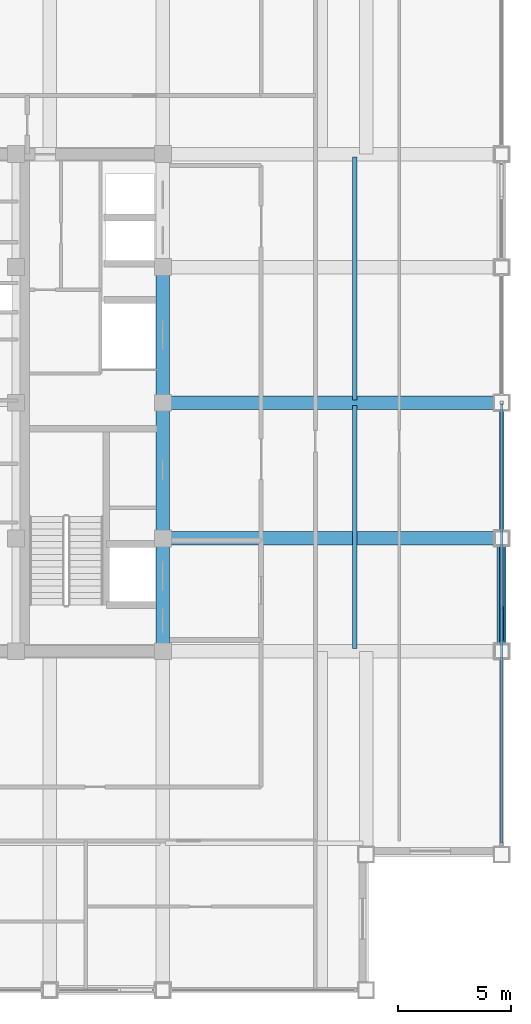
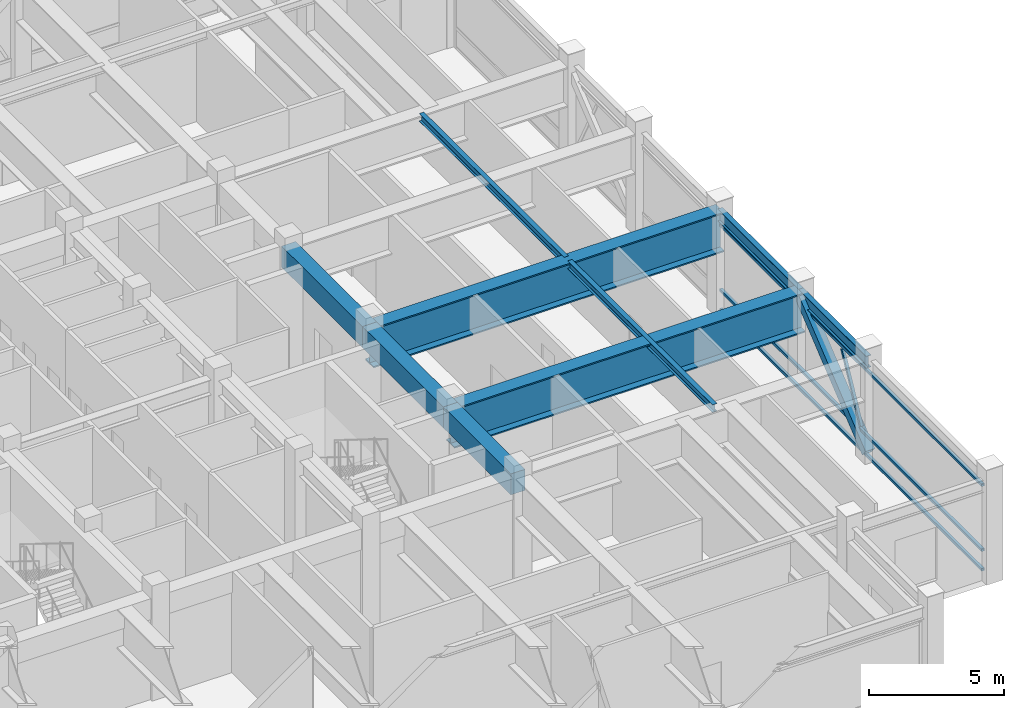
# One storey, part 11 of 29: 9 beams, 5 members, 1 element without a shape of its own.
"""IFC4 building model written with IfcOpenShell, lengths in metres."""

import ifcopenshell
import ifcopenshell.guid

model = None  # the IFC model being written
_history = None  # IfcOwnerHistory: only IFC2X3 demands one
_inside = {}  # id of a spatial element -> (the spatial element, [elements in it])
_under = {}  # id of a project, library or spatial element -> (it, [spatial elements below it])
_declared = {}  # id of a project -> (the project, [libraries it declares])
_typed = {}  # id of a type object -> (the type object, [elements of that type])
_made_of = {}  # id of a material, layer set ... -> (it, [elements and type objects made of it])


def new_model(schema):
    """Start an empty IFC model of exactly this schema.

    Asked for "IFC4X3", IfcOpenShell would pick the latest addendum, in which some entities
    have other attributes; the version numbers below select the first issue.
    IFC2X3 requires an IfcOwnerHistory on every rooted entity: one is made here for all.
    """
    global model, _history
    if schema == "IFC4X3":
        model = ifcopenshell.file(schema_version=(4, 3, 0, 0))
    else:
        model = ifcopenshell.file(schema=schema)
    _inside.clear()
    _under.clear()
    _declared.clear()
    _typed.clear()
    _made_of.clear()
    _history = None
    if model.schema == "IFC2X3":
        org = make("IfcOrganization", Name="unknown")
        user = make(
            "IfcPersonAndOrganization",
            ThePerson=make("IfcPerson", FamilyName="unknown"),
            TheOrganization=org,
        )
        app = make(
            "IfcApplication",
            ApplicationDeveloper=org,
            Version="unknown",
            ApplicationFullName="unknown",
            ApplicationIdentifier="unknown",
        )
        _history = make(
            "IfcOwnerHistory",
            OwningUser=user,
            OwningApplication=app,
            ChangeAction="ADDED",
            CreationDate=0,
        )
    return model


def make(cls, **values):
    """One entity of the class cls with the attributes given. An attribute that is None is left unset."""
    return model.create_entity(
        cls, **{name: value for name, value in values.items() if value is not None}
    )


def rooted(cls, **values):
    """An entity with a GlobalId (a new one), such as an element, a storey or a relation."""
    return make(cls, GlobalId=ifcopenshell.guid.new(), OwnerHistory=_history, **values)


def si_unit(unit_type, name, prefix=None):
    """IfcSIUnit, for example si_unit("LENGTHUNIT", "METRE", prefix="MILLI")."""
    return make("IfcSIUnit", UnitType=unit_type, Prefix=prefix, Name=name)


def assignment(units):
    """IfcUnitAssignment: the units of a project."""
    return None if units is None else make("IfcUnitAssignment", Units=units)


def point(xyz):
    """IfcCartesianPoint."""
    return None if xyz is None else make("IfcCartesianPoint", Coordinates=xyz)


def direction(xyz):
    """IfcDirection."""
    return None if xyz is None else make("IfcDirection", DirectionRatios=xyz)


def frame(location, z_axis=None, x_axis=None):
    """IfcAxis2Placement3D, a coordinate frame: its origin and axes. An axis left out is left unset."""
    return make(
        "IfcAxis2Placement3D",
        Location=point(location),
        Axis=direction(z_axis),
        RefDirection=direction(x_axis),
    )


def frame_2d(location, x_axis=None):
    """IfcAxis2Placement2D, a coordinate frame in the plane: its origin and x axis."""
    return make(
        "IfcAxis2Placement2D", Location=point(location), RefDirection=direction(x_axis)
    )


def origin():
    """The frame at (0, 0, 0) with its axes left unset."""
    return frame((0.0, 0.0, 0.0))


def origin_2d():
    """The frame at (0, 0) in the plane with its x axis left unset."""
    return frame_2d((0.0, 0.0))


def place(relative_to, where):
    """IfcLocalPlacement: puts the frame where relative to a parent placement (None: the world)."""
    return make(
        "IfcLocalPlacement", PlacementRelTo=relative_to, RelativePlacement=where
    )


def context(
    kind, dimensions, precision=None, world=None, true_north=None, identifier=None
):
    """IfcGeometricRepresentationContext, for example the 3D "Model" context."""
    return make(
        "IfcGeometricRepresentationContext",
        ContextIdentifier=identifier,
        ContextType=kind,
        CoordinateSpaceDimension=dimensions,
        Precision=precision,
        WorldCoordinateSystem=world,
        TrueNorth=true_north,
    )


def subcontext(parent, identifier, kind, view, scale=None):
    """IfcGeometricRepresentationSubContext, for example "Body" below "Model"."""
    return make(
        "IfcGeometricRepresentationSubContext",
        ContextIdentifier=identifier,
        ContextType=kind,
        ParentContext=parent,
        TargetScale=scale,
        TargetView=view,
    )


def project(units=None, contexts=None):
    """IfcProject with its units and contexts."""
    return rooted(
        "IfcProject",
        Name="project",
        RepresentationContexts=contexts,
        UnitsInContext=assignment(units),
    )


def spatial(cls, under=None, at=None, **own):
    """A site, building, storey or space (cls), placed at a placement, below another one or the project."""
    s = rooted(cls, ObjectPlacement=at, **own)
    if under is not None:
        _under.setdefault(under.id(), (under, []))[1].append(s)
    return s


def profile(cls, at=None, kind="AREA", **sizes):
    """A parametric profile (cls). Its sizes go by their IFC names, for example OverallWidth=200.0."""
    return make(cls, ProfileType=kind, Position=at, **sizes)


def rectangle(**sizes):
    """IfcRectangleProfileDef."""
    return profile("IfcRectangleProfileDef", **sizes)


def hollow_rectangle(**sizes):
    """IfcRectangleHollowProfileDef."""
    return profile("IfcRectangleHollowProfileDef", **sizes)


def i_section(**sizes):
    """IfcIShapeProfileDef."""
    return profile("IfcIShapeProfileDef", **sizes)


def extrude(swept, where, along, depth):
    """IfcExtrudedAreaSolid: the profile swept, set in the frame where, extruded along a direction by depth."""
    return make(
        "IfcExtrudedAreaSolid",
        SweptArea=swept,
        Position=where,
        ExtrudedDirection=direction(along),
        Depth=depth,
    )


def shape(context_of_items, identifier, shape_type, items):
    """IfcShapeRepresentation: the items that make up one representation, for example the "Body"."""
    return make(
        "IfcShapeRepresentation",
        ContextOfItems=context_of_items,
        RepresentationIdentifier=identifier,
        RepresentationType=shape_type,
        Items=items,
    )


def source(mapping_origin, context_of_items, identifier, shape_type, items):
    """IfcRepresentationMap: a shape defined once, which mapped items show again and again."""
    return make(
        "IfcRepresentationMap",
        MappingOrigin=mapping_origin,
        MappedRepresentation=shape(context_of_items, identifier, shape_type, items),
    )


def transform(
    local_origin,
    x_axis=None,
    y_axis=None,
    z_axis=None,
    scale=None,
    scale2=None,
    scale3=None,
    uniform=True,
):
    """IfcCartesianTransformationOperator3D, or its non-uniform kind. x_axis, y_axis, z_axis: its Axis1, 2, 3."""
    if uniform:
        return make(
            "IfcCartesianTransformationOperator3D",
            Axis1=direction(x_axis),
            Axis2=direction(y_axis),
            LocalOrigin=point(local_origin),
            Scale=scale,
            Axis3=direction(z_axis),
        )
    return make(
        "IfcCartesianTransformationOperator3DnonUniform",
        Axis1=direction(x_axis),
        Axis2=direction(y_axis),
        LocalOrigin=point(local_origin),
        Scale=scale,
        Axis3=direction(z_axis),
        Scale2=scale2,
        Scale3=scale3,
    )


def mapped(mapping_source, mapping_target):
    """IfcMappedItem: shows the shape of a source again, moved by a transform."""
    return make(
        "IfcMappedItem", MappingSource=mapping_source, MappingTarget=mapping_target
    )


def material(Name=None, Category=None):
    """IfcMaterial."""
    return make("IfcMaterial", Name=Name, Category=Category)


def material_profile(
    of_material, cross_section, Name=None, Category=None, Priority=None
):
    """IfcMaterialProfile: a cross section and its material."""
    return make(
        "IfcMaterialProfile",
        Name=Name,
        Material=of_material,
        Profile=cross_section,
        Priority=Priority,
        Category=Category,
    )


def profile_set(profiles, Name=None, composite=None):
    """IfcMaterialProfileSet."""
    return make(
        "IfcMaterialProfileSet",
        Name=Name,
        MaterialProfiles=profiles,
        CompositeProfile=composite,
    )


def made_of(thing, what):
    """Note that an element or type object is made of a material, layer set ...; save() writes the relation."""
    if what is not None:
        _made_of.setdefault(what.id(), (what, []))[1].append(thing)
    return thing


def type_object(cls, material=None, **own):
    """A type object (cls), such as IfcWallType, which elements share."""
    return made_of(rooted(cls, **own), material)


def element(
    cls,
    number,
    at=None,
    inside=None,
    cuts=None,
    type_object=None,
    material=None,
    context=None,
    identifier="Body",
    shape_type=None,
    held_by="IfcProductDefinitionShape",
    body=None,
    shapes=None,
    **own,
):
    """One element of the class cls, such as IfcWall. Its Tag is "e" and its number.

    at: its placement. inside: the storey or other place that contains it. cuts: it is an
    opening in that element (IfcRelVoidsElement). A single representation is given by context,
    identifier, shape_type and body (its items); several are given by shapes. held_by: the class
    of the entity that holds the representations. save() writes the other relations.
    """
    e = rooted(cls, Tag="e%d" % number, ObjectPlacement=at, **own)
    if body is not None:
        shapes = [shape(context, identifier, shape_type, body)]
    if shapes is not None:
        e.Representation = make(held_by, Representations=shapes)
    if inside is not None:
        _inside.setdefault(inside.id(), (inside, []))[1].append(e)
    if cuts is not None:
        rooted(
            "IfcRelVoidsElement", RelatingBuildingElement=cuts, RelatedOpeningElement=e
        )
    if type_object is not None:
        _typed.setdefault(type_object.id(), (type_object, []))[1].append(e)
    return made_of(e, material)


def aggregate(whole, parts):
    """IfcRelAggregates: a whole, such as a stair, and the parts it consists of."""
    return rooted("IfcRelAggregates", RelatingObject=whole, RelatedObjects=parts)


def save(model, path):
    """Write the relations noted so far, then the file.

    IfcRelAggregates (storeys below a building ...), IfcRelContainedInSpatialStructure (elements
    in a storey), IfcRelDefinesByType, IfcRelAssociatesMaterial and IfcRelDeclares: one each for
    every whole, place, type object, material and project.
    """
    for whole, parts in _under.values():
        aggregate(whole, parts)
    for where, things in _inside.values():
        rooted(
            "IfcRelContainedInSpatialStructure",
            RelatedElements=things,
            RelatingStructure=where,
        )
    for kind, things in _typed.values():
        rooted("IfcRelDefinesByType", RelatedObjects=things, RelatingType=kind)
    for what, things in _made_of.values():
        rooted("IfcRelAssociatesMaterial", RelatedObjects=things, RelatingMaterial=what)
    for by, libraries in _declared.values():
        rooted("IfcRelDeclares", RelatingContext=by, RelatedDefinitions=libraries)
    model.write(path)


model = new_model("IFC4")

# Units and contexts
model_context = context("Model", 3, precision=1e-05, world=origin(), true_north=direction((0.0, 1.0)))
body_context = subcontext(model_context, "Body", "Model", "MODEL_VIEW")
ifc_project = project(units=[si_unit("LENGTHUNIT", "METRE"), si_unit("AREAUNIT", "SQUARE_METRE"), si_unit("VOLUMEUNIT", "CUBIC_METRE"), si_unit("PLANEANGLEUNIT", "RADIAN"), si_unit("MASSUNIT", "GRAM", prefix="KILO")], contexts=[model_context])

# Site, building, storey
site_placement = place(None, origin())
site = spatial("IfcSite", under=ifc_project, at=site_placement, CompositionType="ELEMENT")
building_placement = place(site_placement, origin())
building = spatial("IfcBuilding", under=site, at=building_placement, Name="Khorayat Bourse Tower", CompositionType="ELEMENT")
storey_placement = place(building_placement, frame((0.0, 0.0, 370.300048828125)))
storey = spatial("IfcBuildingStorey", under=building, at=storey_placement, Name="L88", CompositionType="ELEMENT", Elevation=370.300048828125)

# Beams
ifc_material_1 = material(Name="Concrete C60/75", Category="concrete")
ifc_material_profile_1 = material_profile(ifc_material_1, rectangle(XDim=0.60009765625, YDim=0.949951171875, at=origin_2d()), Name="RC 600x950")
ifc_profile_set_1 = profile_set([ifc_material_profile_1], Name="Concrete C60/75")
beam_type_1 = type_object("IfcBeamType", Name="BM-COUP-950", PredefinedType="BEAM", material=ifc_profile_set_1)
shared_shape_1 = source(origin(), body_context, "Body", "SweptSolid", [
    extrude(rectangle(XDim=0.60009765625, YDim=0.949951171875, at=origin_2d()), origin(), (0.0, 0.0, 1.0), 5.0),
])
beam_1_placement = place(storey_placement, frame((11.0, -11.0, 4.125), z_axis=(0.0, 1.0, 0.0), x_axis=(-1.0, 0.0, 0.0)))
element("IfcBeam", 1, at=beam_1_placement, inside=storey, type_object=beam_type_1, Name="L88 BM-COUP-950 BM-L88-CRX-13", PredefinedType="BEAM", context=body_context, shape_type="MappedRepresentation", body=[
    mapped(shared_shape_1, transform((0.0, 0.0, 0.0), scale=1.0)),
])
shared_shape_2 = source(origin(), body_context, "Body", "SweptSolid", [
    extrude(rectangle(XDim=0.60009765625, YDim=0.949951171875, at=origin_2d()), origin(), (0.0, 0.0, 1.0), 6.0),
])
for number, where, z_axis, x_axis, name in (
    (2, (11.0, -6.0, 4.125), (0.0, 1.0, 0.0), (-1.0, 0.0, 0.0), "L88 BM-COUP-950 BM-L88-CRX-14"),
    (3, (11.0, 0.0, 4.125), (0.0, 1.0, 0.0), (-1.0, 0.0, 0.0), "L88 BM-COUP-950 BM-L88-CRX-15"),
):
    element("IfcBeam", number, at=place(storey_placement, frame(where, z_axis=z_axis, x_axis=x_axis)), inside=storey, type_object=beam_type_1, Name=name, PredefinedType="BEAM", context=body_context, shape_type="MappedRepresentation", body=[
        mapped(shared_shape_2, transform((0.0, 0.0, 0.0), scale=1.0)),
    ])
ifc_material_2 = material(Name="Steel ASTM A992 Grade 50", Category="steel")
ifc_material_profile_2 = material_profile(ifc_material_2, i_section(OverallWidth=0.202880859375, OverallDepth=0.346923828125, WebThickness=0.0078125, FlangeThickness=0.013427734375, FilletRadius=0.010009765625, at=origin_2d()), Name="W360X64")
ifc_profile_set_2 = profile_set([ifc_material_profile_2], Name="Steel ASTM A992 Grade 50")
beam_type_2 = type_object("IfcBeamType", Name="BM-JOIST-360", PredefinedType="JOIST", material=ifc_profile_set_2)
shared_shape_3 = source(origin(), body_context, "Body", "SweptSolid", [
    extrude(i_section(OverallWidth=0.202880859375, OverallDepth=0.346923828125, WebThickness=0.0078125, FlangeThickness=0.013427734375, FilletRadius=0.010009765625, at=origin_2d()), origin(), (0.0, 0.0, 1.0), 10.740234375),
])
for number, where, z_axis, x_axis, name in (
    (4, (19.5, -10.8701171875, 4.426513671875), (0.0, 1.0, 0.0), (-1.0, 0.0, 0.0), "L88 BM-JOIST-360 BM-L88-JSTY-096"),
    (5, (19.5, 0.1298828125, 4.426513671875), (0.0, 1.0, 0.0), (-1.0, 0.0, 0.0), "L88 BM-JOIST-360 BM-L88-JSTY-097"),
):
    element("IfcBeam", number, at=place(storey_placement, frame(where, z_axis=z_axis, x_axis=x_axis)), inside=storey, type_object=beam_type_2, Name=name, PredefinedType="JOIST", context=body_context, shape_type="MappedRepresentation", body=[
        mapped(shared_shape_3, transform((0.0, 0.0, 0.0), scale=1.0)),
    ])
ifc_material_profile_3 = material_profile(ifc_material_2, i_section(OverallWidth=0.214111328125, OverallDepth=0.549072265625, WebThickness=0.0146484375, FlangeThickness=0.023681640625, FilletRadius=0.013916015625, at=origin_2d()), Name="W530X138")
ifc_profile_set_3 = profile_set([ifc_material_profile_3], Name="Steel ASTM A992 Grade 50")
beam_type_3 = type_object("IfcBeamType", Name="BM-SPAN-530", PredefinedType="SPANDREL", material=ifc_profile_set_3)
shared_shape_4 = source(origin(), body_context, "Body", "SweptSolid", [
    extrude(i_section(OverallWidth=0.214111328125, OverallDepth=0.549072265625, WebThickness=0.0146484375, FlangeThickness=0.023681640625, FilletRadius=0.013916015625, at=origin_2d()), origin(), (0.0, 0.0, 1.0), 5.0),
])
beam_2_placement = place(storey_placement, frame((26.0, -11.0, 4.325439453125), z_axis=(0.0, 1.0, 0.0), x_axis=(-1.0, 0.0, 0.0)))
element("IfcBeam", 6, at=beam_2_placement, inside=storey, type_object=beam_type_3, Name="L88 BM-SPAN-530 BM-L88-SPN-033", PredefinedType="SPANDREL", context=body_context, shape_type="MappedRepresentation", body=[
    mapped(shared_shape_4, transform((0.0, 0.0, 0.0), scale=1.0)),
])
shared_shape_5 = source(origin(), body_context, "Body", "SweptSolid", [
    extrude(i_section(OverallWidth=0.214111328125, OverallDepth=0.549072265625, WebThickness=0.0146484375, FlangeThickness=0.023681640625, FilletRadius=0.013916015625, at=origin_2d()), origin(), (0.0, 0.0, 1.0), 6.0),
])
beam_3_placement = place(storey_placement, frame((26.0, -6.0, 4.325439453125), z_axis=(0.0, 1.0, 0.0), x_axis=(-1.0, 0.0, 0.0)))
element("IfcBeam", 7, at=beam_3_placement, inside=storey, type_object=beam_type_3, Name="L88 BM-SPAN-530 BM-L88-SPN-034", PredefinedType="SPANDREL", context=body_context, shape_type="MappedRepresentation", body=[
    mapped(shared_shape_5, transform((0.0, 0.0, 0.0), scale=1.0)),
])
ifc_material_3 = material(Name="Steel EN 10025-4 S460M", Category="steel")
ifc_material_profile_4 = material_profile(ifc_material_3, i_section(OverallWidth=0.60009765625, OverallDepth=1.800048828125, WebThickness=0.031982421875, FlangeThickness=0.06005859375, at=origin_2d()), Name="PG 1800x600x32x60")
ifc_profile_set_4 = profile_set([ifc_material_profile_4], Name="Steel EN 10025-4 S460M")
beam_type_4 = type_object("IfcBeamType", Name="BM-TR-1800", PredefinedType="BEAM", material=ifc_profile_set_4)
shared_shape_6 = source(origin(), body_context, "Body", "SweptSolid", [
    extrude(i_section(OverallWidth=0.60009765625, OverallDepth=1.800048828125, WebThickness=0.031982421875, FlangeThickness=0.06005859375, at=origin_2d()), origin(), (0.0, 0.0, 1.0), 15.0),
])
for number, where, z_axis, x_axis, name in (
    (8, (11.0, -6.0, 3.699951171875), (1.0, 0.0, 0.0), (0.0, 1.0, 0.0), "L88 BM-TR-1800 BM-L88-RADX-068"),
    (9, (11.0, 0.0, 3.699951171875), (1.0, 0.0, 0.0), (0.0, 1.0, 0.0), "L88 BM-TR-1800 BM-L88-RADX-070"),
):
    element("IfcBeam", number, at=place(storey_placement, frame(where, z_axis=z_axis, x_axis=x_axis)), inside=storey, type_object=beam_type_4, Name=name, PredefinedType="BEAM", context=body_context, shape_type="MappedRepresentation", body=[
        mapped(shared_shape_6, transform((0.0, 0.0, 0.0), scale=1.0)),
    ])

# Member
ifc_material_profile_5 = material_profile(ifc_material_3, hollow_rectangle(XDim=0.39990234375, YDim=0.39990234375, WallThickness=0.02197265625, at=origin_2d()), Name="HSS 400x400x22")
ifc_profile_set_5 = profile_set([ifc_material_profile_5], Name="Steel EN 10025-4 S460M")
member_type_1 = type_object("IfcMemberType", Name="MBR-TUBE-400", PredefinedType="BRACE", material=ifc_profile_set_5)
shared_shape_7 = source(origin(), body_context, "Body", "SweptSolid", [
    extrude(hollow_rectangle(XDim=0.39990234375, YDim=0.39990234375, WallThickness=0.02197265625, at=origin_2d()), origin(), (0.0, 0.0, 1.0), 6.466064453125),
])
member_1_placement = place(storey_placement, frame((26.0, -11.0, 0.25), z_axis=(0.0, 0.773278898257, 0.634066041916), x_axis=(-1.0, 0.0, 0.0)))
element("IfcMember", 10, at=member_1_placement, inside=storey, type_object=member_type_1, Name="L88 Perimeter Tube Brace 07", PredefinedType="BRACE", context=body_context, shape_type="MappedRepresentation", body=[
    mapped(shared_shape_7, transform((0.0, 0.0, 0.0), scale=1.0)),
])

# Curtain wall, members
ifc_material_4 = material(Name="Aluminium EN AW-6063 T6", Category="aluminium")
curtain_wall_type = type_object("IfcCurtainWallType", Name="CW-SYS-04", PredefinedType="NOTDEFINED", material=ifc_material_4)
curtain_wall_placement = place(storey_placement, origin())
curtain_wall = element("IfcCurtainWall", 11, at=curtain_wall_placement, inside=storey, type_object=curtain_wall_type, Name="L88 Curtain Wall CW-L88-E1", PredefinedType="NOTDEFINED")
ifc_material_profile_6 = material_profile(ifc_material_4, hollow_rectangle(XDim=0.1201171875, YDim=0.1201171875, WallThickness=0.0048828125, at=origin_2d()), Name="ALU 120x120x5")
ifc_profile_set_6 = profile_set([ifc_material_profile_6], Name="Aluminium EN AW-6063 T6")
member_type_2 = type_object("IfcMemberType", Name="CWM-DIAG-120", PredefinedType="MULLION", material=ifc_profile_set_6)
shared_shape_8 = source(origin(), body_context, "Body", "SweptSolid", [
    extrude(hollow_rectangle(XDim=0.1201171875, YDim=0.1201171875, WallThickness=0.0048828125, at=origin_2d()), origin(), (0.0, 0.0, 1.0), 3.006103515625),
])
member_2_placement = place(storey_placement, frame((26.0, -10.469970703125, 1.08984375), z_axis=(0.0, 0.465699569312, 0.884942885808), x_axis=(-1.0, 0.0, 0.0)))
member_2 = element("IfcMember", 12, at=member_2_placement, type_object=member_type_2, Name="CW-L88-E1 Faceted Diagonal Mullion 1", PredefinedType="MULLION", context=body_context, shape_type="MappedRepresentation", body=[
    mapped(shared_shape_8, transform((0.0, 0.0, 0.0), scale=1.0)),
])
ifc_material_profile_7 = material_profile(ifc_material_4, hollow_rectangle(XDim=0.1201171875, YDim=0.1201171875, WallThickness=0.0048828125, at=origin_2d()), Name="ALU 120x120x5")
ifc_profile_set_7 = profile_set([ifc_material_profile_7], Name="Aluminium EN AW-6063 T6")
member_type_3 = type_object("IfcMemberType", Name="CWT-HORZ-120", PredefinedType="USERDEFINED", material=ifc_profile_set_7)
shared_shape_9 = source(origin(), body_context, "Body", "SweptSolid", [
    extrude(hollow_rectangle(XDim=0.1201171875, YDim=0.1201171875, WallThickness=0.0048828125, at=origin_2d()), origin(), (0.0, 0.0, 1.0), 19.419921875),
])
member_3_placement = place(storey_placement, frame((26.0, -19.47998046875, 0.06005859375), z_axis=(0.0, 1.0, 0.0), x_axis=(-1.0, 0.0, 0.0)))
member_3 = element("IfcMember", 13, at=member_3_placement, type_object=member_type_3, Name="CW-L88-E1 Horizontal Transom 1-1", ObjectType="TRANSOM", PredefinedType="USERDEFINED", context=body_context, shape_type="MappedRepresentation", body=[
    mapped(shared_shape_9, transform((0.0, 0.0, 0.0), scale=1.0)),
])
member_4_placement = place(storey_placement, frame((26.0, -19.47998046875, 0.949951171875), z_axis=(0.0, 1.0, 0.0), x_axis=(-1.0, 0.0, 0.0)))
member_4 = element("IfcMember", 14, at=member_4_placement, type_object=member_type_3, Name="CW-L88-E1 Horizontal Transom 1-2", ObjectType="TRANSOM", PredefinedType="USERDEFINED", context=body_context, shape_type="MappedRepresentation", body=[
    mapped(shared_shape_9, transform((0.0, 0.0, 0.0), scale=1.0)),
])
member_5_placement = place(storey_placement, frame((26.0, -19.47998046875, 3.889892578125), z_axis=(0.0, 1.0, 0.0), x_axis=(-1.0, 0.0, 0.0)))
member_5 = element("IfcMember", 15, at=member_5_placement, type_object=member_type_3, Name="CW-L88-E1 Horizontal Transom 1-3", ObjectType="TRANSOM", PredefinedType="USERDEFINED", context=body_context, shape_type="MappedRepresentation", body=[
    mapped(shared_shape_9, transform((0.0, 0.0, 0.0), scale=1.0)),
])
aggregate(curtain_wall, [member_3, member_4, member_5, member_2])

save(model, "model.ifc")
